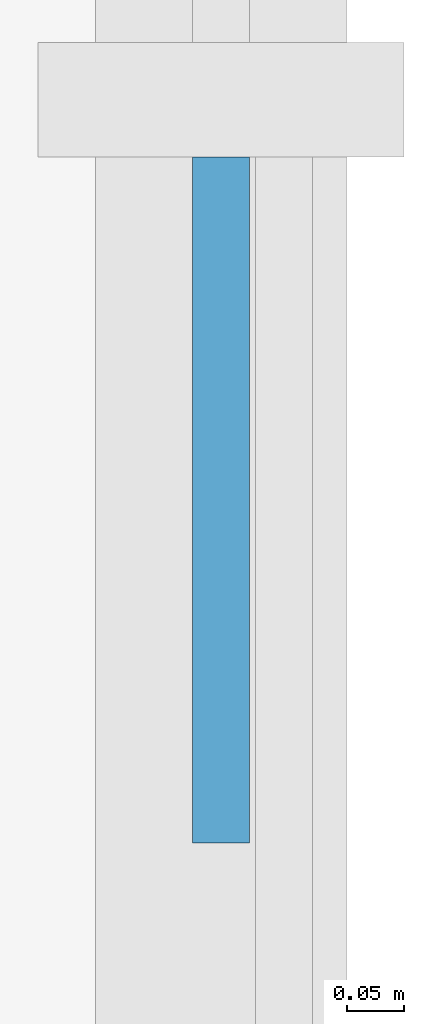
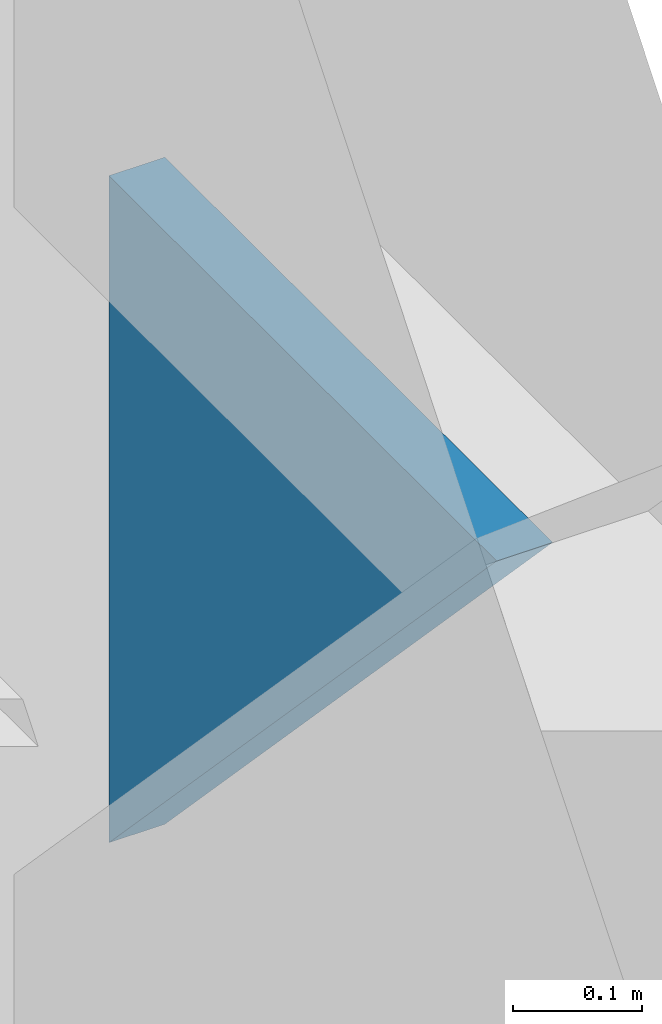
# One storey, part 8 of 14: 1 plate, 1 element without a shape of its own.
"""IFC4 building model written with IfcOpenShell, lengths in metres."""

from ifc_helpers import new_model, si_unit, direction, frame, origin, place, context, subcontext, project, spatial, polyline, outline, extrude, material, layer, layer_set, type_object, element, aggregate, save


model = new_model("IFC4")

# Units and contexts
model_context = context("Model", 3, precision=1e-05, world=origin(), true_north=direction((0.0, 1.0)))
body_context = subcontext(model_context, "Body", "Model", "MODEL_VIEW")
ifc_project = project(units=[si_unit("LENGTHUNIT", "METRE"), si_unit("AREAUNIT", "SQUARE_METRE"), si_unit("VOLUMEUNIT", "CUBIC_METRE"), si_unit("PLANEANGLEUNIT", "RADIAN"), si_unit("MASSUNIT", "GRAM", prefix="KILO")], contexts=[model_context])

# Site, building, storey
site_placement = place(None, origin())
site = spatial("IfcSite", under=ifc_project, at=site_placement, CompositionType="ELEMENT")
building_placement = place(site_placement, origin())
building = spatial("IfcBuilding", under=site, at=building_placement, Name="Rheinbord Bourse Tower", CompositionType="ELEMENT")
storey_placement = place(building_placement, frame((0.0, 0.0, 185.800048828125)))
storey = spatial("IfcBuildingStorey", under=building, at=storey_placement, Name="L41", CompositionType="ELEMENT", Elevation=185.800048828125)

# Curtain wall, plate
ifc_material_1 = material(Name="Dark glass and black aluminium", Category="aluminium")
curtain_wall_type = type_object("IfcCurtainWallType", Name="CW6 DARK GLASS CURTAIN WALL", PredefinedType="USERDEFINED", material=ifc_material_1)
curtain_wall_placement = place(storey_placement, origin())
curtain_wall = element("IfcCurtainWall", 1, at=curtain_wall_placement, inside=storey, type_object=curtain_wall_type, Name="Curtain wall CW6 E L41", ObjectType="UNITISED CURTAIN WALL", PredefinedType="USERDEFINED")
ifc_material_2 = material(Name="Dark tinted triple insulating glass", Category="glass")
ifc_layer = layer(ifc_material_2, 0.050048828125)
ifc_layer_set = layer_set([ifc_layer], Name="CW6 DARK GLASS PANEL")
plate_type = type_object("IfcPlateType", Name="CW6 DARK GLASS PANEL", PredefinedType="CURTAIN_PANEL", material=ifc_layer_set)
plate_placement = place(storey_placement, frame((72.625, 14.14990234375, 3.449951171875), z_axis=(-1.0, 0.0, 0.0), x_axis=(0.0, 0.0, -1.0)))
plate = element("IfcPlate", 2, at=plate_placement, type_object=plate_type, Name="CW6 glass facet 3", PredefinedType="CURTAIN_PANEL", context=body_context, shape_type="SweptSolid", body=[
    extrude(outline(polyline([(0.0, 0.0), (0.6298828125, 0.0), (0.0, 0.599853515625), (0.0, 0.0)])), origin(), (0.0, 0.0, 1.0), 0.050048828125),
])
aggregate(curtain_wall, [plate])

save(model, "model.ifc")
